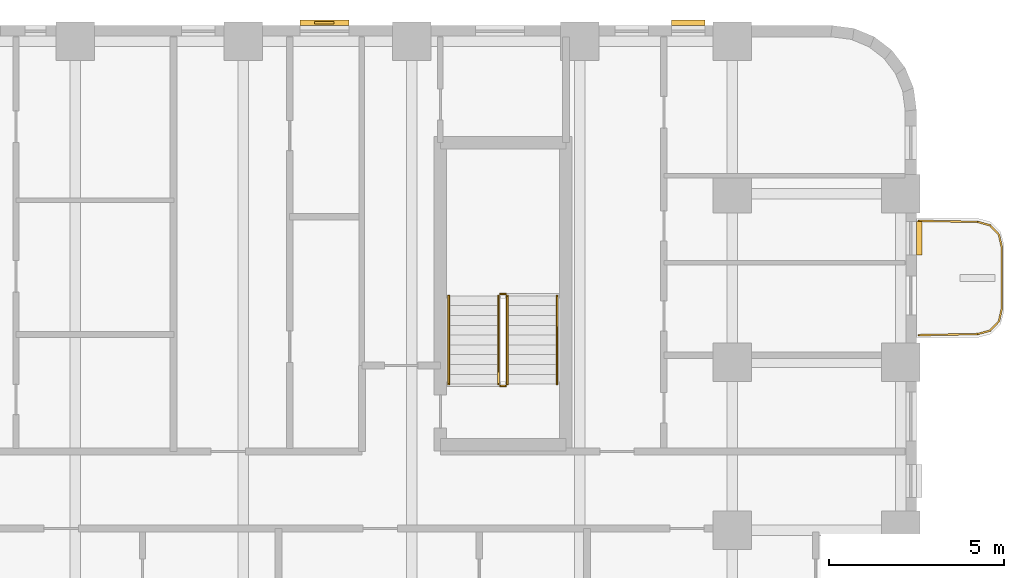
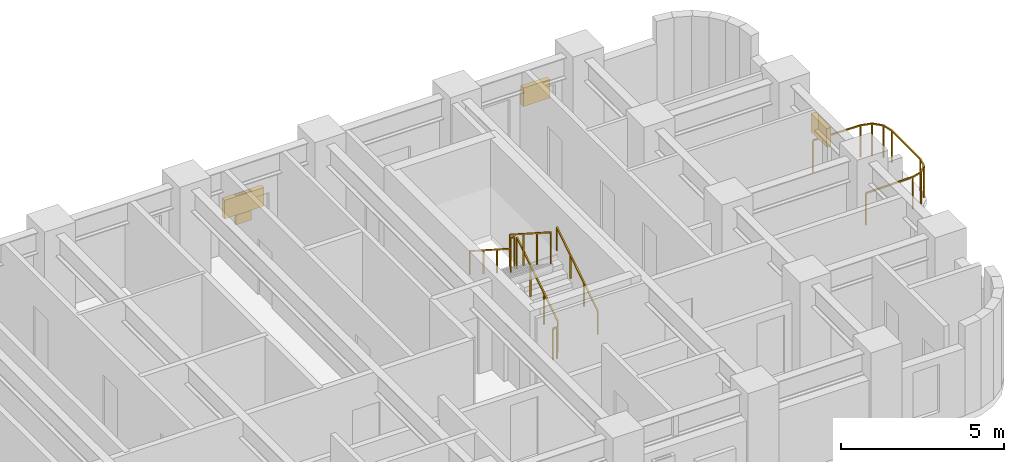
# One storey, part 11 of 11: 7 railings, 4 shading devices.
"""IFC4 building model written with IfcOpenShell, lengths in metres."""

from ifc_helpers import new_model, si_unit, direction, frame, origin, origin_2d, place, context, subcontext, project, spatial, rectangle, extrude, material, type_object, element, save


model = new_model("IFC4")

# Units and contexts
model_context = context("Model", 3, precision=1e-05, world=origin(), true_north=direction((0.0, 1.0)))
body_context = subcontext(model_context, "Body", "Model", "MODEL_VIEW")
ifc_project = project(units=[si_unit("LENGTHUNIT", "METRE"), si_unit("AREAUNIT", "SQUARE_METRE"), si_unit("VOLUMEUNIT", "CUBIC_METRE"), si_unit("PLANEANGLEUNIT", "RADIAN"), si_unit("MASSUNIT", "GRAM", prefix="KILO")], contexts=[model_context])

# Site, building, storey
site_placement = place(None, origin())
site = spatial("IfcSite", under=ifc_project, at=site_placement, CompositionType="ELEMENT")
building_placement = place(site_placement, origin())
building = spatial("IfcBuilding", under=site, at=building_placement, Name="Orvandelia Arch Residences", CompositionType="ELEMENT")
storey_placement = place(building_placement, frame((0.0, 0.0, 82.60009765625)))
storey = spatial("IfcBuildingStorey", under=building, at=storey_placement, Name="L21", CompositionType="ELEMENT", Elevation=82.60009765625)

# Railings
ifc_material_1 = material(Name="Marine-Grade Stainless Steel 316", Category="steel")
railing_type_1 = type_object("IfcRailingType", Name="GRD-BAL-1200", PredefinedType="BALUSTRADE", material=ifc_material_1)
railing_1_placement = place(storey_placement, frame((57.671875, 39.169677734375, 0.0)))
element("IfcRailing", 1, at=railing_1_placement, inside=storey, type_object=railing_type_1, Name="Safety Balustrade Guard GRD-L21-BAL-L21-E1-1", PredefinedType="BALUSTRADE", context=body_context, shape_type="SweptSolid", body=[
    extrude(rectangle(XDim=0.048095703125, YDim=0.048095703125, at=origin_2d()), frame((0.0, 0.0, 1.19580078125), z_axis=(0.999837384468, 0.018033430643, 0.0), x_axis=(-0.018033430643, 0.999837384468, 0.0)), (0.0, 0.0, 1.0), 1.6787109375),
    extrude(rectangle(XDim=0.048095703125, YDim=0.048095703125, at=origin_2d()), frame((1.678466796875, 0.0302734375, 1.19580078125), z_axis=(0.963441293861, 0.267919527627, 0.0), x_axis=(-0.267919527627, 0.963441293861, 0.0)), (0.0, 0.0, 1.0), 0.365478515625),
    extrude(rectangle(XDim=0.048095703125, YDim=0.048095703125, at=origin_2d()), frame((2.030517578125, 0.128173828125, 1.19580078125), z_axis=(0.688296224633, 0.725429739642, 0.0), x_axis=(-0.725429739642, 0.688296224633, 0.0)), (0.0, 0.0, 1.0), 0.3681640625),
    extrude(rectangle(XDim=0.048095703125, YDim=0.048095703125, at=origin_2d()), frame((2.283935546875, 0.395263671875, 1.19580078125), z_axis=(0.221225034864, 0.975222786828, 0.0), x_axis=(-0.975222786828, 0.221225034864, 0.0)), (0.0, 0.0, 1.0), 0.373046875),
    extrude(rectangle(XDim=0.048095703125, YDim=0.048095703125, at=origin_2d()), frame((2.366455078125, 0.759033203125, 1.19580078125), z_axis=(0.0, 1.0, 0.0), x_axis=(-1.0, 0.0, 0.0)), (0.0, 0.0, 1.0), 1.74267578125),
    extrude(rectangle(XDim=0.048095703125, YDim=0.048095703125, at=origin_2d()), frame((2.366455078125, 2.501708984375, 1.19580078125), z_axis=(-0.221225034864, 0.975222786828, 0.0), x_axis=(-0.975222786828, -0.221225034864, 0.0)), (0.0, 0.0, 1.0), 0.373046875),
    extrude(rectangle(XDim=0.048095703125, YDim=0.048095703125, at=origin_2d()), frame((2.283935546875, 2.865478515625, 1.19580078125), z_axis=(-0.688627404251, 0.725115368831, 0.0), x_axis=(-0.725115368831, -0.688627404251, 0.0)), (0.0, 0.0, 1.0), 0.367919921875),
    extrude(rectangle(XDim=0.048095703125, YDim=0.048095703125, at=origin_2d()), frame((2.030517578125, 3.13232421875, 1.19580078125), z_axis=(-0.963441293861, 0.267919527627, 0.0), x_axis=(-0.267919527627, -0.963441293861, 0.0)), (0.0, 0.0, 1.0), 0.365478515625),
    extrude(rectangle(XDim=0.048095703125, YDim=0.048095703125, at=origin_2d()), frame((1.678466796875, 3.230224609375, 1.19580078125), z_axis=(-0.999834751713, 0.018178813668, 0.0), x_axis=(-0.018178813668, -0.999834751713, 0.0)), (0.0, 0.0, 1.0), 1.6787109375),
    extrude(rectangle(XDim=0.0419921875, YDim=0.0419921875, at=origin_2d()), origin(), (0.0, 0.0, 1.0), 1.171875),
    extrude(rectangle(XDim=0.0419921875, YDim=0.0419921875, at=origin_2d()), frame((1.678466796875, 0.0302734375, 0.0)), (0.0, 0.0, 1.0), 1.171875),
    extrude(rectangle(XDim=0.0419921875, YDim=0.0419921875, at=origin_2d()), frame((2.030517578125, 0.128173828125, 0.0)), (0.0, 0.0, 1.0), 1.171875),
    extrude(rectangle(XDim=0.0419921875, YDim=0.0419921875, at=origin_2d()), frame((2.283935546875, 0.395263671875, 0.0)), (0.0, 0.0, 1.0), 1.171875),
    extrude(rectangle(XDim=0.0419921875, YDim=0.0419921875, at=origin_2d()), frame((2.366455078125, 0.759033203125, 0.0)), (0.0, 0.0, 1.0), 1.171875),
    extrude(rectangle(XDim=0.0419921875, YDim=0.0419921875, at=origin_2d()), frame((2.366455078125, 2.501708984375, 0.0)), (0.0, 0.0, 1.0), 1.171875),
    extrude(rectangle(XDim=0.0419921875, YDim=0.0419921875, at=origin_2d()), frame((2.283935546875, 2.865478515625, 0.0)), (0.0, 0.0, 1.0), 1.171875),
    extrude(rectangle(XDim=0.0419921875, YDim=0.0419921875, at=origin_2d()), frame((2.030517578125, 3.13232421875, 0.0)), (0.0, 0.0, 1.0), 1.171875),
    extrude(rectangle(XDim=0.0419921875, YDim=0.0419921875, at=origin_2d()), frame((1.678466796875, 3.230224609375, 0.0)), (0.0, 0.0, 1.0), 1.171875),
    extrude(rectangle(XDim=0.0419921875, YDim=0.0419921875, at=origin_2d()), frame((0.0, 3.2607421875, 0.0)), (0.0, 0.0, 1.0), 1.171875),
])
ifc_material_2 = material(Name="Brushed Stainless Steel 304", Category="steel")
railing_type_2 = type_object("IfcRailingType", Name="RL-STAIR-GD1120", PredefinedType="GUARDRAIL", material=ifc_material_2)
railing_2_placement = place(storey_placement, frame((45.929931640625, 37.77001953125, 0.179931640625)))
element("IfcRailing", 2, at=railing_2_placement, inside=storey, type_object=railing_type_2, Name="L21 ST-3 stair guard 1", PredefinedType="GUARDRAIL", context=body_context, shape_type="SweptSolid", body=[
    extrude(rectangle(XDim=0.048095703125, YDim=0.048095703125, at=origin_2d()), frame((0.0, 0.0, 1.17578125), z_axis=(0.0, 0.841199657755, 0.540724639528), x_axis=(-1.0, 0.0, 0.0)), (0.0, 0.0, 1.0), 2.995849609375),
    extrude(rectangle(XDim=0.0419921875, YDim=0.0419921875, at=origin_2d()), origin(), (0.0, 0.0, 1.0), 1.15185546875),
    extrude(rectangle(XDim=0.0419921875, YDim=0.0419921875, at=origin_2d()), frame((0.0, 0.840087890625, 0.5400390625)), (0.0, 0.0, 1.0), 1.15185546875),
    extrude(rectangle(XDim=0.0419921875, YDim=0.0419921875, at=origin_2d()), frame((0.0, 1.679931640625, 1.079833984375)), (0.0, 0.0, 1.0), 1.15185546875),
    extrude(rectangle(XDim=0.0419921875, YDim=0.0419921875, at=origin_2d()), frame((0.0, 2.52001953125, 1.619873046875)), (0.0, 0.0, 1.0), 1.15185546875),
])
railing_3_placement = place(storey_placement, frame((45.8798828125, 40.340087890625, 1.7998046875)))
element("IfcRailing", 3, at=railing_3_placement, inside=storey, type_object=railing_type_2, Name="L21 ST-3 stair guard 2", PredefinedType="GUARDRAIL", context=body_context, shape_type="SweptSolid", body=[
    extrude(rectangle(XDim=0.048095703125, YDim=0.048095703125, at=origin_2d()), frame((0.0, 0.0, 1.17578125), z_axis=(-1.0, 0.0, 0.0), x_axis=(0.0, -1.0, 0.0)), (0.0, 0.0, 1.0), 0.14990234375),
    extrude(rectangle(XDim=0.0419921875, YDim=0.0419921875, at=origin_2d()), origin(), (0.0, 0.0, 1.0), 1.15185546875),
    extrude(rectangle(XDim=0.0419921875, YDim=0.0419921875, at=origin_2d()), frame((-0.14990234375, 0.0, 0.0)), (0.0, 0.0, 1.0), 1.15185546875),
])
railing_4_placement = place(storey_placement, frame((45.679931640625, 40.2900390625, 1.97998046875)))
element("IfcRailing", 4, at=railing_4_placement, inside=storey, type_object=railing_type_2, Name="L21 ST-3 stair guard 3", PredefinedType="GUARDRAIL", context=body_context, shape_type="SweptSolid", body=[
    extrude(rectangle(XDim=0.048095703125, YDim=0.048095703125, at=origin_2d()), frame((0.0, 0.0, 1.17578125), z_axis=(0.0, -0.841199657755, 0.540724639528), x_axis=(1.0, 0.0, 0.0)), (0.0, 0.0, 1.0), 2.995849609375),
    extrude(rectangle(XDim=0.0419921875, YDim=0.0419921875, at=origin_2d()), origin(), (0.0, 0.0, 1.0), 1.15185546875),
    extrude(rectangle(XDim=0.0419921875, YDim=0.0419921875, at=origin_2d()), frame((0.0, -0.840087890625, 0.5400390625)), (0.0, 0.0, 1.0), 1.15185546875),
    extrude(rectangle(XDim=0.0419921875, YDim=0.0419921875, at=origin_2d()), frame((0.0, -1.679931640625, 1.079833984375)), (0.0, 0.0, 1.0), 1.15185546875),
    extrude(rectangle(XDim=0.0419921875, YDim=0.0419921875, at=origin_2d()), frame((0.0, -2.52001953125, 1.619873046875)), (0.0, 0.0, 1.0), 1.15185546875),
])
railing_5_placement = place(storey_placement, frame((45.8798828125, 37.719970703125, 0.0)))
element("IfcRailing", 5, at=railing_5_placement, inside=storey, type_object=railing_type_2, Name="L21 ST-3 stair guard 4", PredefinedType="GUARDRAIL", context=body_context, shape_type="SweptSolid", body=[
    extrude(rectangle(XDim=0.048095703125, YDim=0.048095703125, at=origin_2d()), frame((0.0, 0.0, 1.17578125), z_axis=(-1.0, 0.0, 0.0), x_axis=(0.0, -1.0, 0.0)), (0.0, 0.0, 1.0), 0.14990234375),
    extrude(rectangle(XDim=0.0419921875, YDim=0.0419921875, at=origin_2d()), origin(), (0.0, 0.0, 1.0), 1.15185546875),
    extrude(rectangle(XDim=0.0419921875, YDim=0.0419921875, at=origin_2d()), frame((-0.14990234375, 0.0, 0.0)), (0.0, 0.0, 1.0), 1.15185546875),
])
railing_type_3 = type_object("IfcRailingType", Name="RL-STAIR-HR920", PredefinedType="HANDRAIL", material=ifc_material_2)
railing_6_placement = place(storey_placement, frame((47.35009765625, 37.77001953125, 0.35986328125)))
element("IfcRailing", 6, at=railing_6_placement, inside=storey, type_object=railing_type_3, Name="L21 ST-3 stair handrail 1", PredefinedType="HANDRAIL", context=body_context, shape_type="SweptSolid", body=[
    extrude(rectangle(XDim=0.048095703125, YDim=0.048095703125, at=origin_2d()), frame((0.0, 0.0, 0.8759765625), z_axis=(0.0, 0.841162588446, 0.540782303519), x_axis=(-1.0, 0.0, 0.0)), (0.0, 0.0, 1.0), 2.995849609375),
    extrude(rectangle(XDim=0.0419921875, YDim=0.0419921875, at=origin_2d()), origin(), (0.0, 0.0, 1.0), 0.851806640625),
    extrude(rectangle(XDim=0.0419921875, YDim=0.0419921875, at=origin_2d()), frame((0.0, 0.840087890625, 0.5400390625)), (0.0, 0.0, 1.0), 0.851806640625),
    extrude(rectangle(XDim=0.0419921875, YDim=0.0419921875, at=origin_2d()), frame((0.0, 1.679931640625, 1.080078125)), (0.0, 0.0, 1.0), 0.851806640625),
    extrude(rectangle(XDim=0.0419921875, YDim=0.0419921875, at=origin_2d()), frame((0.0, 2.52001953125, 1.6201171875)), (0.0, 0.0, 1.0), 0.851806640625),
])
railing_7_placement = place(storey_placement, frame((44.260009765625, 40.2900390625, 2.159912109375)))
element("IfcRailing", 7, at=railing_7_placement, inside=storey, type_object=railing_type_3, Name="L21 ST-3 stair handrail 2", PredefinedType="HANDRAIL", context=body_context, shape_type="SweptSolid", body=[
    extrude(rectangle(XDim=0.048095703125, YDim=0.048095703125, at=origin_2d()), frame((0.0, 0.0, 0.8759765625), z_axis=(0.0, -0.841199657755, 0.540724639528), x_axis=(1.0, 0.0, 0.0)), (0.0, 0.0, 1.0), 2.995849609375),
    extrude(rectangle(XDim=0.0419921875, YDim=0.0419921875, at=origin_2d()), origin(), (0.0, 0.0, 1.0), 0.851806640625),
    extrude(rectangle(XDim=0.0419921875, YDim=0.0419921875, at=origin_2d()), frame((0.0, -0.840087890625, 0.5400390625)), (0.0, 0.0, 1.0), 0.851806640625),
    extrude(rectangle(XDim=0.0419921875, YDim=0.0419921875, at=origin_2d()), frame((0.0, -1.679931640625, 1.079833984375)), (0.0, 0.0, 1.0), 0.851806640625),
    extrude(rectangle(XDim=0.0419921875, YDim=0.0419921875, at=origin_2d()), frame((0.0, -2.52001953125, 1.619873046875)), (0.0, 0.0, 1.0), 0.851806640625),
])

# Shading devices
ifc_material_3 = material(Name="Anodised Champagne-Bronze Extruded Aluminium", Category="aluminium")
shading_device_type_1 = type_object("IfcShadingDeviceType", Name="SHD-JALOUSIE-SCREEN", PredefinedType="JALOUSIE", material=ifc_material_3)
shading_device_1_placement = place(storey_placement, frame((51.08837890625, 48.080078125, 1.5498046875), z_axis=(0.0, 0.0, 1.0), x_axis=(1.0, 0.0, 0.0)))
element("IfcShadingDevice", 8, at=shading_device_1_placement, inside=storey, type_object=shading_device_type_1, Name="Bronze Jalousie Sun-Shade L21-001", PredefinedType="JALOUSIE", context=body_context, shape_type="SweptSolid", body=[
    extrude(rectangle(XDim=0.949951171875, YDim=0.159912109375, at=origin_2d()), origin(), (0.0, 0.0, 1.0), 0.699951171875),
])
shading_device_2_placement = place(storey_placement, frame((40.7099609375, 48.080078125, 1.0498046875), z_axis=(0.0, 0.0, 1.0), x_axis=(1.0, 0.0, 0.0)))
element("IfcShadingDevice", 9, at=shading_device_2_placement, inside=storey, type_object=shading_device_type_1, Name="Bronze Jalousie Sun-Shade L21-003", PredefinedType="JALOUSIE", context=body_context, shape_type="SweptSolid", body=[
    extrude(rectangle(XDim=1.39990234375, YDim=0.159912109375, at=origin_2d()), origin(), (0.0, 0.0, 1.0), 0.699951171875),
])
shading_device_3_placement = place(storey_placement, frame((57.679931640625, 41.931396484375, 1.5498046875), z_axis=(0.0, 0.0, 1.0), x_axis=(0.0, -1.0, 0.0)))
element("IfcShadingDevice", 10, at=shading_device_3_placement, inside=storey, type_object=shading_device_type_1, Name="Bronze Jalousie Sun-Shade L21-005", PredefinedType="JALOUSIE", context=body_context, shape_type="SweptSolid", body=[
    extrude(rectangle(XDim=0.949951171875, YDim=0.159912109375, at=origin_2d()), origin(), (0.0, 0.0, 1.0), 0.699951171875),
])
ifc_material_4 = material(Name="Marine-Grade Perforated Aluminium Storm Shutter", Category="aluminium")
shading_device_type_2 = type_object("IfcShadingDeviceType", Name="SHD-STORM-SHUTTER", PredefinedType="SHUTTER", material=ifc_material_4)
shading_device_4_placement = place(storey_placement, frame((40.7099609375, 48.080078125, 0.64990234375), z_axis=(0.0, 0.0, 1.0), x_axis=(1.0, 0.0, 0.0)))
element("IfcShadingDevice", 11, at=shading_device_4_placement, inside=storey, type_object=shading_device_type_2, Name="Operable Typhoon Storm Shutter L21-003", PredefinedType="SHUTTER", context=body_context, shape_type="SweptSolid", body=[
    extrude(rectangle(XDim=0.550048828125, YDim=0.080078125, at=origin_2d()), origin(), (0.0, 0.0, 1.0), 1.10009765625),
])

save(model, "model.ifc")
